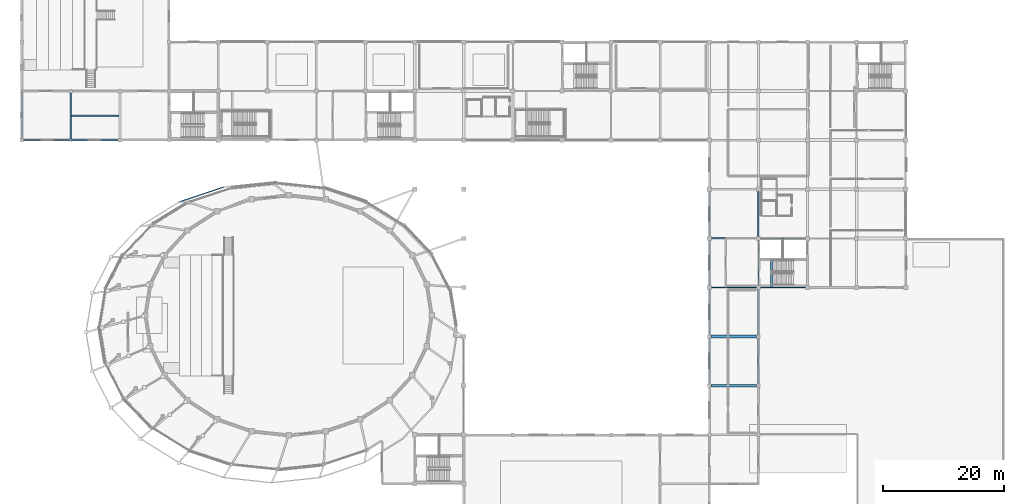
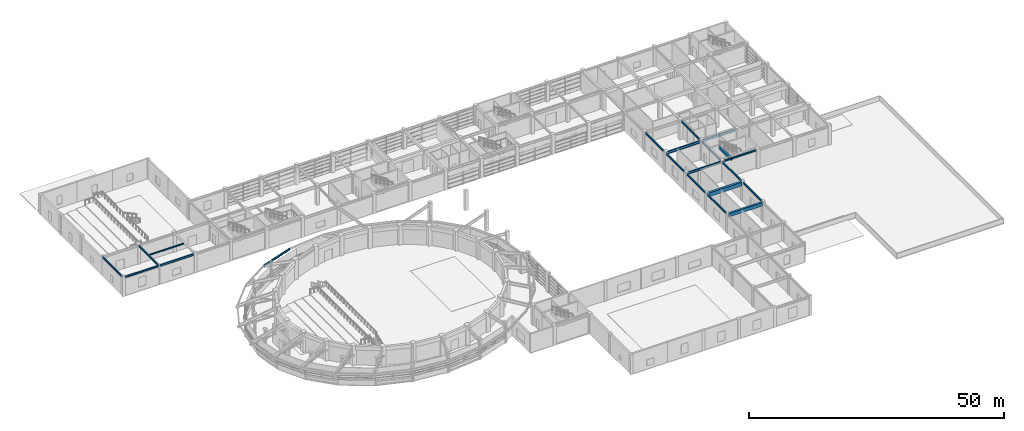
# One storey, part 20 of 56: 21 beams.
"""IFC4 building model written with IfcOpenShell, lengths in metres."""

from ifc_helpers import new_model, si_unit, direction, frame, origin, origin_2d, place, context, subcontext, project, spatial, rectangle, i_section, extrude, material, material_profile, profile_set, type_object, element, save


model = new_model("IFC4")

# Units and contexts
model_context = context("Model", 3, precision=1e-05, world=origin(), true_north=direction((0.0, 1.0)))
body_context = subcontext(model_context, "Body", "Model", "MODEL_VIEW")
ifc_project = project(units=[si_unit("LENGTHUNIT", "METRE"), si_unit("AREAUNIT", "SQUARE_METRE"), si_unit("VOLUMEUNIT", "CUBIC_METRE"), si_unit("PLANEANGLEUNIT", "RADIAN"), si_unit("MASSUNIT", "GRAM", prefix="KILO")], contexts=[model_context])

# Site, building, storey
site_placement = place(None, origin())
site = spatial("IfcSite", under=ifc_project, at=site_placement, CompositionType="ELEMENT")
building_placement = place(site_placement, origin())
building = spatial("IfcBuilding", under=site, at=building_placement, Name="Parian Resonance Hall", CompositionType="ELEMENT")
storey_placement = place(building_placement, frame((0.0, 0.0, 5.39990234375)))
storey = spatial("IfcBuildingStorey", under=building, at=storey_placement, Name="L01", CompositionType="ELEMENT", Elevation=5.39990234375)

# Beams
ifc_material_1 = material(Name="Concrete C40/50", Category="concrete")
ifc_material_profile_1 = material_profile(ifc_material_1, rectangle(XDim=0.39990234375, YDim=0.699951171875, at=origin_2d()), Name="RC-BM-400x700")
ifc_profile_set_1 = profile_set([ifc_material_profile_1], Name="Concrete C40/50")
beam_type_1 = type_object("IfcBeamType", Name="BM-RC400x700", PredefinedType="BEAM", material=ifc_profile_set_1)
beam_1_placement = place(storey_placement, frame((123.659912109375, 48.60009765625, 4.18017578125), z_axis=(0.0, 1.0, 0.0), x_axis=(-1.0, 0.0, 0.0)))
element("IfcBeam", 1, at=beam_1_placement, inside=storey, type_object=beam_type_1, Name="Core K2 stair arrival trimmer beam L01", PredefinedType="BEAM", context=body_context, shape_type="SweptSolid", body=[
    extrude(rectangle(XDim=0.39990234375, YDim=0.699951171875, at=origin_2d()), origin(), (0.0, 0.0, 1.0), 4.64990234375),
])
ifc_material_2 = material(Name="Concrete C40/50", Category="concrete")
ifc_material_profile_2 = material_profile(ifc_material_2, rectangle(XDim=0.449951171875, YDim=0.800048828125, at=origin_2d()), Name="RC-BM-450x800")
ifc_profile_set_2 = profile_set([ifc_material_profile_2], Name="Concrete C40/50")
beam_type_2 = type_object("IfcBeamType", Name="BM-RC450x800", PredefinedType="USERDEFINED", material=ifc_profile_set_2)
beam_2_placement = place(storey_placement, frame((113.699951171875, 32.39990234375, 4.130126953125), z_axis=(1.0, 0.0, 0.0), x_axis=(0.0, 1.0, 0.0)))
element("IfcBeam", 2, at=beam_2_placement, inside=storey, type_object=beam_type_2, Name="GX-L01-0567", ObjectType="GIRDER", PredefinedType="USERDEFINED", context=body_context, shape_type="SweptSolid", body=[
    extrude(rectangle(XDim=0.449951171875, YDim=0.800048828125, at=origin_2d()), origin(), (0.0, 0.0, 1.0), 7.5),
])
ifc_material_3 = material(Name="Concrete C40/50", Category="concrete")
ifc_material_profile_3 = material_profile(ifc_material_3, rectangle(XDim=0.5, YDim=0.89990234375, at=origin_2d()), Name="RC-BM-500x900")
ifc_profile_set_3 = profile_set([ifc_material_profile_3], Name="Concrete C40/50")
beam_type_3 = type_object("IfcBeamType", Name="BM-RC500x900", PredefinedType="USERDEFINED", material=ifc_profile_set_3)
beam_3_placement = place(storey_placement, frame((113.699951171875, 40.5, 4.080078125), z_axis=(1.0, 0.0, 0.0), x_axis=(0.0, 1.0, 0.0)))
element("IfcBeam", 3, at=beam_3_placement, inside=storey, type_object=beam_type_3, Name="GX-L01-0568", ObjectType="GIRDER", PredefinedType="USERDEFINED", context=body_context, shape_type="SweptSolid", body=[
    extrude(rectangle(XDim=0.5, YDim=0.89990234375, at=origin_2d()), origin(), (0.0, 0.0, 1.0), 7.5),
])
ifc_material_4 = material(Name="Steel S355", Category="steel")
ifc_material_profile_4 = material_profile(ifc_material_4, i_section(OverallWidth=0.25390625, OverallDepth=0.2529296875, WebThickness=0.008544921875, FlangeThickness=0.01416015625, FilletRadius=0.0126953125, at=origin_2d()), Name="W250x73")
ifc_profile_set_4 = profile_set([ifc_material_profile_4], Name="Steel S355")
beam_type_4 = type_object("IfcBeamType", Name="BM-W250x73", PredefinedType="JOIST", material=ifc_profile_set_4)
beam_4_placement = place(storey_placement, frame((8.2275390625, 76.949951171875, 4.43359375), z_axis=(1.0, 0.0, 0.0), x_axis=(0.0, 1.0, 0.0)))
element("IfcBeam", 4, at=beam_4_placement, inside=storey, type_object=beam_type_4, Name="JS-L01-0658", PredefinedType="JOIST", context=body_context, shape_type="SweptSolid", body=[
    extrude(i_section(OverallWidth=0.25390625, OverallDepth=0.2529296875, WebThickness=0.008544921875, FlangeThickness=0.01416015625, FilletRadius=0.0126953125, at=origin_2d()), origin(), (0.0, 0.0, 1.0), 7.820068359375),
])
ifc_material_5 = material(Name="Steel S355", Category="steel")
ifc_material_profile_5 = material_profile(ifc_material_5, i_section(OverallWidth=0.2548828125, OverallDepth=0.35693359375, WebThickness=0.010498046875, FlangeThickness=0.018310546875, FilletRadius=0.01513671875, at=origin_2d()), Name="W360x101")
ifc_profile_set_5 = profile_set([ifc_material_profile_5], Name="Steel S355")
beam_type_5 = type_object("IfcBeamType", Name="BM-W360x101", PredefinedType="SPANDREL", material=ifc_profile_set_5)
beam_5_placement = place(storey_placement, frame((0.0, 73.199951171875, 4.381591796875), z_axis=(0.0, 1.0, 0.0), x_axis=(-1.0, 0.0, 0.0)))
element("IfcBeam", 5, at=beam_5_placement, inside=storey, type_object=beam_type_5, Name="GY-L01-0593", PredefinedType="SPANDREL", context=body_context, shape_type="SweptSolid", body=[
    extrude(i_section(OverallWidth=0.2548828125, OverallDepth=0.35693359375, WebThickness=0.010498046875, FlangeThickness=0.018310546875, FilletRadius=0.01513671875, at=origin_2d()), origin(), (0.0, 0.0, 1.0), 7.62158203125),
])
beam_6_placement = place(storey_placement, frame((8.10009765625, 73.07861328125, 4.381591796875), z_axis=(0.0, 1.0, 0.0), x_axis=(-1.0, 0.0, 0.0)))
element("IfcBeam", 6, at=beam_6_placement, inside=storey, type_object=beam_type_5, Name="GY-L01-0594", PredefinedType="SPANDREL", context=body_context, shape_type="SweptSolid", body=[
    extrude(i_section(OverallWidth=0.2548828125, OverallDepth=0.35693359375, WebThickness=0.010498046875, FlangeThickness=0.018310546875, FilletRadius=0.01513671875, at=origin_2d()), origin(), (0.0, 0.0, 1.0), 7.621337890625),
])
beam_7_placement = place(storey_placement, frame((113.39990234375, 32.699951171875, 4.3515625), z_axis=(0.0, 1.0, 0.0), x_axis=(-1.0, 0.0, 0.0)))
element("IfcBeam", 7, at=beam_7_placement, inside=storey, type_object=beam_type_5, Name="GY-L01-0627", PredefinedType="SPANDREL", context=body_context, shape_type="SweptSolid", body=[
    extrude(i_section(OverallWidth=0.2548828125, OverallDepth=0.35693359375, WebThickness=0.010498046875, FlangeThickness=0.018310546875, FilletRadius=0.01513671875, at=origin_2d()), origin(), (0.0, 0.0, 1.0), 7.5),
])
beam_8_placement = place(storey_placement, frame((113.39990234375, 40.800048828125, 4.3515625), z_axis=(0.0, 1.0, 0.0), x_axis=(-1.0, 0.0, 0.0)))
element("IfcBeam", 8, at=beam_8_placement, inside=storey, type_object=beam_type_5, Name="GY-L01-0628", PredefinedType="SPANDREL", context=body_context, shape_type="SweptSolid", body=[
    extrude(i_section(OverallWidth=0.2548828125, OverallDepth=0.35693359375, WebThickness=0.010498046875, FlangeThickness=0.018310546875, FilletRadius=0.01513671875, at=origin_2d()), origin(), (0.0, 0.0, 1.0), 7.449951171875),
])
beam_9_placement = place(storey_placement, frame((113.39990234375, 48.949951171875, 4.3515625), z_axis=(0.0, 1.0, 0.0), x_axis=(-1.0, 0.0, 0.0)))
element("IfcBeam", 9, at=beam_9_placement, inside=storey, type_object=beam_type_5, Name="GY-L01-0629", PredefinedType="SPANDREL", context=body_context, shape_type="SweptSolid", body=[
    extrude(i_section(OverallWidth=0.2548828125, OverallDepth=0.35693359375, WebThickness=0.010498046875, FlangeThickness=0.018310546875, FilletRadius=0.01513671875, at=origin_2d()), origin(), (0.0, 0.0, 1.0), 7.400146484375),
])
beam_10_placement = place(storey_placement, frame((113.39990234375, 57.050048828125, 4.3515625), z_axis=(0.0, 1.0, 0.0), x_axis=(-1.0, 0.0, 0.0)))
element("IfcBeam", 10, at=beam_10_placement, inside=storey, type_object=beam_type_5, Name="GY-L01-0630", PredefinedType="SPANDREL", context=body_context, shape_type="SweptSolid", body=[
    extrude(i_section(OverallWidth=0.2548828125, OverallDepth=0.35693359375, WebThickness=0.010498046875, FlangeThickness=0.018310546875, FilletRadius=0.01513671875, at=origin_2d()), origin(), (0.0, 0.0, 1.0), 7.39990234375),
])
beam_11_placement = place(storey_placement, frame((121.5, 32.699951171875, 4.3515625), z_axis=(0.0, 1.0, 0.0), x_axis=(-1.0, 0.0, 0.0)))
element("IfcBeam", 11, at=beam_11_placement, inside=storey, type_object=beam_type_5, Name="GY-L01-0636", PredefinedType="SPANDREL", context=body_context, shape_type="SweptSolid", body=[
    extrude(i_section(OverallWidth=0.2548828125, OverallDepth=0.35693359375, WebThickness=0.010498046875, FlangeThickness=0.018310546875, FilletRadius=0.01513671875, at=origin_2d()), origin(), (0.0, 0.0, 1.0), 7.5),
])
beam_12_placement = place(storey_placement, frame((121.5, 40.800048828125, 4.3515625), z_axis=(0.0, 1.0, 0.0), x_axis=(-1.0, 0.0, 0.0)))
element("IfcBeam", 12, at=beam_12_placement, inside=storey, type_object=beam_type_5, Name="GY-L01-0637", PredefinedType="SPANDREL", context=body_context, shape_type="SweptSolid", body=[
    extrude(i_section(OverallWidth=0.2548828125, OverallDepth=0.35693359375, WebThickness=0.010498046875, FlangeThickness=0.018310546875, FilletRadius=0.01513671875, at=origin_2d()), origin(), (0.0, 0.0, 1.0), 7.449951171875),
])
beam_13_placement = place(storey_placement, frame((121.5, 57.050048828125, 4.3515625), z_axis=(0.0, 1.0, 0.0), x_axis=(-1.0, 0.0, 0.0)))
element("IfcBeam", 13, at=beam_13_placement, inside=storey, type_object=beam_type_5, Name="GY-L01-0639", PredefinedType="SPANDREL", context=body_context, shape_type="SweptSolid", body=[
    extrude(i_section(OverallWidth=0.2548828125, OverallDepth=0.35693359375, WebThickness=0.010498046875, FlangeThickness=0.018310546875, FilletRadius=0.01513671875, at=origin_2d()), origin(), (0.0, 0.0, 1.0), 7.39990234375),
])
ifc_material_6 = material(Name="Steel S355", Category="steel")
ifc_material_profile_6 = material_profile(ifc_material_6, i_section(OverallWidth=0.180908203125, OverallDepth=0.4169921875, WebThickness=0.010986328125, FlangeThickness=0.018310546875, FilletRadius=0.01513671875, at=origin_2d()), Name="W410x85")
ifc_profile_set_6 = profile_set([ifc_material_profile_6], Name="Steel S355")
beam_type_6 = type_object("IfcBeamType", Name="BM-W410x85", PredefinedType="SPANDREL", material=ifc_profile_set_6)
beam_14_placement = place(storey_placement, frame((0.300048828125, 72.89990234375, 4.3515625), z_axis=(1.0, 0.0, 0.0), x_axis=(0.0, 1.0, 0.0)))
element("IfcBeam", 14, at=beam_14_placement, inside=storey, type_object=beam_type_6, Name="GX-L01-0520", PredefinedType="SPANDREL", context=body_context, shape_type="SweptSolid", body=[
    extrude(i_section(OverallWidth=0.180908203125, OverallDepth=0.4169921875, WebThickness=0.010986328125, FlangeThickness=0.018310546875, FilletRadius=0.01513671875, at=origin_2d()), origin(), (0.0, 0.0, 1.0), 7.67236328125),
])
beam_15_placement = place(storey_placement, frame((121.85009765625, 48.60009765625, 4.321533203125), z_axis=(1.0, 0.0, 0.0), x_axis=(0.0, 1.0, 0.0)))
element("IfcBeam", 15, at=beam_15_placement, inside=storey, type_object=beam_type_6, Name="GX-L01-0575", PredefinedType="SPANDREL", context=body_context, shape_type="SweptSolid", body=[
    extrude(i_section(OverallWidth=0.180908203125, OverallDepth=0.4169921875, WebThickness=0.010986328125, FlangeThickness=0.018310546875, FilletRadius=0.01513671875, at=origin_2d()), origin(), (0.0, 0.0, 1.0), 7.39990234375),
])
beam_16_placement = place(storey_placement, frame((121.5, 48.949951171875, 4.321533203125), z_axis=(0.0, 1.0, 0.0), x_axis=(-1.0, 0.0, 0.0)))
element("IfcBeam", 16, at=beam_16_placement, inside=storey, type_object=beam_type_6, Name="GY-L01-0638", PredefinedType="SPANDREL", context=body_context, shape_type="SweptSolid", body=[
    extrude(i_section(OverallWidth=0.180908203125, OverallDepth=0.4169921875, WebThickness=0.010986328125, FlangeThickness=0.018310546875, FilletRadius=0.01513671875, at=origin_2d()), origin(), (0.0, 0.0, 1.0), 7.400146484375),
])
ifc_material_7 = material(Name="Steel S355", Category="steel")
ifc_material_profile_7 = material_profile(ifc_material_7, i_section(OverallWidth=0.194091796875, OverallDepth=0.468994140625, WebThickness=0.0126953125, FlangeThickness=0.0205078125, FilletRadius=0.01513671875, at=origin_2d()), Name="W460x106")
ifc_profile_set_7 = profile_set([ifc_material_profile_7], Name="Steel S355")
beam_type_7 = type_object("IfcBeamType", Name="BM-W460x106", PredefinedType="SPANDREL", material=ifc_profile_set_7)
beam_17_placement = place(storey_placement, frame((8.2275390625, 72.89990234375, 4.32568359375), z_axis=(1.0, 0.0, 0.0), x_axis=(0.0, 1.0, 0.0)))
element("IfcBeam", 17, at=beam_17_placement, inside=storey, type_object=beam_type_7, Name="GX-L01-0522", PredefinedType="SPANDREL", context=body_context, shape_type="SweptSolid", body=[
    extrude(i_section(OverallWidth=0.194091796875, OverallDepth=0.468994140625, WebThickness=0.0126953125, FlangeThickness=0.0205078125, FilletRadius=0.01513671875, at=origin_2d()), origin(), (0.0, 0.0, 1.0), 7.67236328125),
])
beam_18_placement = place(storey_placement, frame((33.280029296875, 65.155029296875, 4.295654296875), z_axis=(-0.948006883481, -0.318249821481, 0.0), x_axis=(0.318249821481, -0.948006883481, 0.0)))
element("IfcBeam", 18, at=beam_18_placement, inside=storey, type_object=beam_type_7, Name="Elliptical R2 perimeter spandrel beam 08", PredefinedType="SPANDREL", context=body_context, shape_type="SweptSolid", body=[
    extrude(i_section(OverallWidth=0.194091796875, OverallDepth=0.468994140625, WebThickness=0.0126953125, FlangeThickness=0.0205078125, FilletRadius=0.01513671875, at=origin_2d()), origin(), (0.0, 0.0, 1.0), 7.784912109375),
])
ifc_material_8 = material(Name="Steel S355", Category="steel")
ifc_material_profile_8 = material_profile(ifc_material_8, i_section(OverallWidth=0.2119140625, OverallDepth=0.5439453125, WebThickness=0.01318359375, FlangeThickness=0.021240234375, FilletRadius=0.017822265625, at=origin_2d()), Name="W530x123")
ifc_profile_set_8 = profile_set([ifc_material_profile_8], Name="Steel S355")
beam_type_8 = type_object("IfcBeamType", Name="BM-W530x123", PredefinedType="USERDEFINED", material=ifc_profile_set_8)
beam_19_placement = place(storey_placement, frame((113.75, 48.60009765625, 4.258056640625), z_axis=(1.0, 0.0, 0.0), x_axis=(0.0, 1.0, 0.0)))
element("IfcBeam", 19, at=beam_19_placement, inside=storey, type_object=beam_type_8, Name="GX-L01-0569", ObjectType="GIRDER", PredefinedType="USERDEFINED", context=body_context, shape_type="SweptSolid", body=[
    extrude(i_section(OverallWidth=0.2119140625, OverallDepth=0.5439453125, WebThickness=0.01318359375, FlangeThickness=0.021240234375, FilletRadius=0.017822265625, at=origin_2d()), origin(), (0.0, 0.0, 1.0), 7.39990234375),
])
ifc_material_9 = material(Name="Steel S355", Category="steel")
ifc_material_profile_9 = material_profile(ifc_material_9, i_section(OverallWidth=0.208984375, OverallDepth=0.532958984375, WebThickness=0.01025390625, FlangeThickness=0.015625, FilletRadius=0.017822265625, at=origin_2d()), Name="W530x92")
ifc_profile_set_9 = profile_set([ifc_material_profile_9], Name="Steel S355")
beam_type_9 = type_object("IfcBeamType", Name="BM-W530x92", PredefinedType="BEAM", material=ifc_profile_set_9)
beam_20_placement = place(storey_placement, frame((121.85009765625, 56.699951171875, 4.263671875), z_axis=(1.0, 0.0, 0.0), x_axis=(0.0, 1.0, 0.0)))
element("IfcBeam", 20, at=beam_20_placement, inside=storey, type_object=beam_type_9, Name="GX-L01-0576", PredefinedType="BEAM", context=body_context, shape_type="SweptSolid", body=[
    extrude(i_section(OverallWidth=0.208984375, OverallDepth=0.532958984375, WebThickness=0.01025390625, FlangeThickness=0.015625, FilletRadius=0.017822265625, at=origin_2d()), origin(), (0.0, 0.0, 1.0), 7.39990234375),
])
ifc_material_10 = material(Name="Steel S355", Category="steel")
ifc_material_profile_10 = material_profile(ifc_material_10, i_section(OverallWidth=0.22802734375, OverallDepth=0.60791015625, WebThickness=0.01123046875, FlangeThickness=0.017333984375, FilletRadius=0.017822265625, at=origin_2d()), Name="W610x113")
ifc_profile_set_10 = profile_set([ifc_material_profile_10], Name="Steel S355")
beam_type_10 = type_object("IfcBeamType", Name="BM-W610x113", PredefinedType="USERDEFINED", material=ifc_profile_set_10)
beam_21_placement = place(storey_placement, frame((113.75, 56.699951171875, 4.22607421875), z_axis=(1.0, 0.0, 0.0), x_axis=(0.0, 1.0, 0.0)))
element("IfcBeam", 21, at=beam_21_placement, inside=storey, type_object=beam_type_10, Name="GX-L01-0570", ObjectType="GIRDER", PredefinedType="USERDEFINED", context=body_context, shape_type="SweptSolid", body=[
    extrude(i_section(OverallWidth=0.22802734375, OverallDepth=0.60791015625, WebThickness=0.01123046875, FlangeThickness=0.017333984375, FilletRadius=0.017822265625, at=origin_2d()), origin(), (0.0, 0.0, 1.0), 7.39990234375),
])

save(model, "model.ifc")
